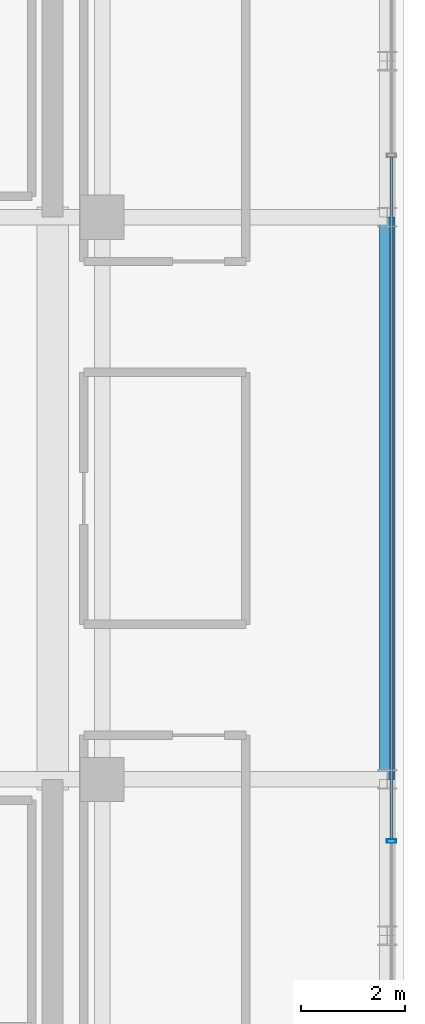
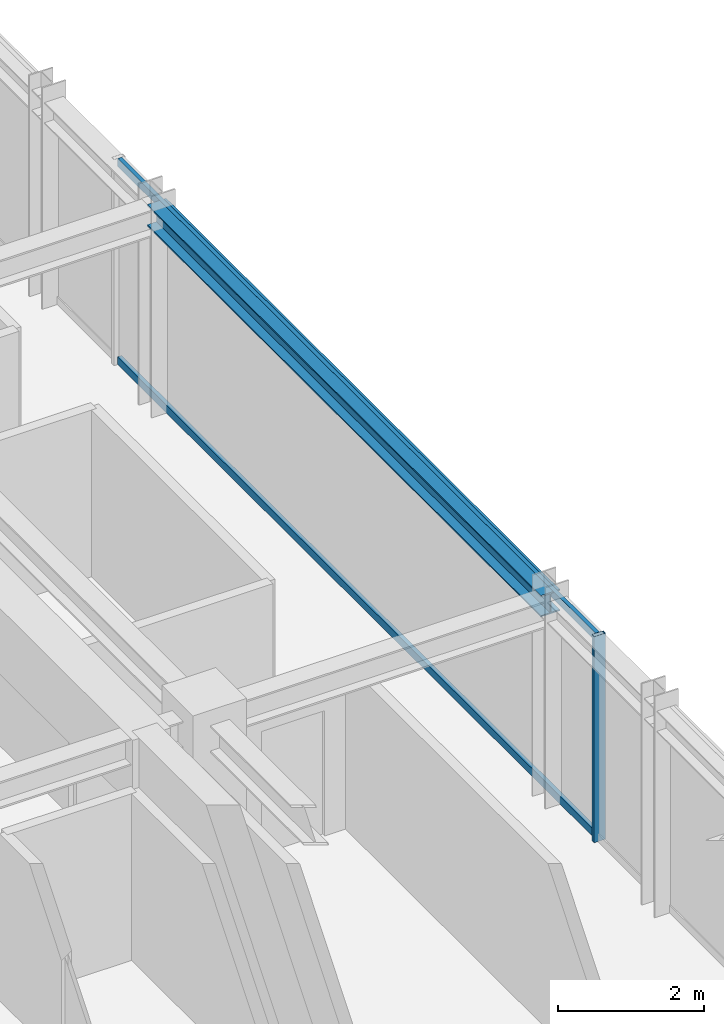
# One storey, part 16 of 31: 3 members, 1 beam, 1 element without a shape of its own.
"""IFC4 building model written with IfcOpenShell, lengths in metres."""

from ifc_helpers import new_model, si_unit, direction, frame, origin, origin_2d, place, context, subcontext, project, spatial, hollow_rectangle, i_section, extrude, source, transform, mapped, material, material_profile, profile_set, type_object, element, aggregate, save


model = new_model("IFC4")

# Units and contexts
model_context = context("Model", 3, precision=1e-05, world=origin(), true_north=direction((0.0, 1.0)))
body_context = subcontext(model_context, "Body", "Model", "MODEL_VIEW")
ifc_project = project(units=[si_unit("LENGTHUNIT", "METRE"), si_unit("AREAUNIT", "SQUARE_METRE"), si_unit("VOLUMEUNIT", "CUBIC_METRE"), si_unit("PLANEANGLEUNIT", "RADIAN"), si_unit("MASSUNIT", "GRAM", prefix="KILO")], contexts=[model_context])

# Site, building, storey
site_placement = place(None, origin())
site = spatial("IfcSite", under=ifc_project, at=site_placement, CompositionType="ELEMENT")
building_placement = place(site_placement, origin())
building = spatial("IfcBuilding", under=site, at=building_placement, Name="Nahalor Promenade Grand Hotel", CompositionType="ELEMENT")
storey_placement = place(building_placement, frame((0.0, 0.0, 277.550048828125)))
storey = spatial("IfcBuildingStorey", under=building, at=storey_placement, Name="L71", CompositionType="ELEMENT", Elevation=277.550048828125)

# Beam
ifc_material_1 = material(Name="Steel S355JR", Category="steel")
ifc_material_profile_1 = material_profile(ifc_material_1, i_section(OverallWidth=0.3, OverallDepth=0.36, WebThickness=0.0125, FlangeThickness=0.0225, at=origin_2d()), Name="HEB 360")
ifc_profile_set_1 = profile_set([ifc_material_profile_1], Name="Steel S355JR")
beam_type = type_object("IfcBeamType", Name="Beam-Spandrel-HEB360", PredefinedType="SPANDREL", material=ifc_profile_set_1)
shared_shape_1 = source(origin(), body_context, "Body", "SweptSolid", [
    extrude(i_section(OverallWidth=0.3, OverallDepth=0.36, WebThickness=0.0125, FlangeThickness=0.0225, at=origin_2d()), origin(), (0.0, 0.0, 1.0), 10.7998046875),
])
beam_placement = place(storey_placement, frame((22.47998046875, -5.39990234375, 3.27001953125), z_axis=(0.0, 1.0, 0.0), x_axis=(-1.0, 0.0, 0.0)))
element("IfcBeam", 1, at=beam_placement, inside=storey, type_object=beam_type, Name="BM-L71-SP-E-2", PredefinedType="SPANDREL", context=body_context, shape_type="MappedRepresentation", body=[
    mapped(shared_shape_1, transform((0.0, 0.0, 0.0), scale=1.0)),
])

# Curtain wall, members
ifc_material_2 = material(Name="Anodised Bronze Aluminium EN AW-6063 T6", Category="aluminium")
curtain_wall_type = type_object("IfcCurtainWallType", Name="CW2 Typical Hotel Flush Bronze Unitised Curtain Wall", PredefinedType="USERDEFINED", material=ifc_material_2)
curtain_wall_placement = place(storey_placement, origin())
curtain_wall = element("IfcCurtainWall", 2, at=curtain_wall_placement, inside=storey, type_object=curtain_wall_type, Name="L71 Curtain Wall CW-L71-E-1", ObjectType="UNITISED_CURTAIN_WALL", PredefinedType="USERDEFINED")
ifc_material_profile_2 = material_profile(ifc_material_2, hollow_rectangle(XDim=0.065, YDim=0.13, WallThickness=0.004, at=origin_2d()), Name="CWT 65x130x4")
ifc_profile_set_2 = profile_set([ifc_material_profile_2], Name="Anodised Bronze Aluminium EN AW-6063 T6")
member_type_1 = type_object("IfcMemberType", Name="CWT2 Typical Bronze Transom 65x130", PredefinedType="USERDEFINED", material=ifc_profile_set_2)
shared_shape_2 = source(origin(), body_context, "Body", "SweptSolid", [
    extrude(hollow_rectangle(XDim=0.065, YDim=0.13, WallThickness=0.004, at=origin_2d()), origin(), (0.0, 0.0, 1.0), 13.1083984375),
])
member_1_placement = place(storey_placement, frame((22.56005859375, -6.55419921875, 0.06494140625), z_axis=(0.0, 1.0, 0.0), x_axis=(-1.0, 0.0, 0.0)))
member_1 = element("IfcMember", 3, at=member_1_placement, type_object=member_type_1, Name="CW-L71-E-1 Transom 1-0", ObjectType="TRANSOM", PredefinedType="USERDEFINED", context=body_context, shape_type="MappedRepresentation", body=[
    mapped(shared_shape_2, transform((0.0, 0.0, 0.0), scale=1.0)),
])
member_2_placement = place(storey_placement, frame((22.56005859375, -6.55419921875, 3.385009765625), z_axis=(0.0, 1.0, 0.0), x_axis=(-1.0, 0.0, 0.0)))
member_2 = element("IfcMember", 4, at=member_2_placement, type_object=member_type_1, Name="CW-L71-E-1 Transom 1-1", ObjectType="TRANSOM", PredefinedType="USERDEFINED", context=body_context, shape_type="MappedRepresentation", body=[
    mapped(shared_shape_2, transform((0.0, 0.0, 0.0), scale=1.0)),
])
ifc_material_profile_3 = material_profile(ifc_material_2, hollow_rectangle(XDim=0.065, YDim=0.18, WallThickness=0.004, at=origin_2d()), Name="CWM 65x180x4")
ifc_profile_set_3 = profile_set([ifc_material_profile_3], Name="Anodised Bronze Aluminium EN AW-6063 T6")
member_type_2 = type_object("IfcMemberType", Name="CWM2 Typical Bronze Mullion 65x180", PredefinedType="MULLION", material=ifc_profile_set_3)
shared_shape_3 = source(origin(), body_context, "Body", "SweptSolid", [
    extrude(hollow_rectangle(XDim=0.065, YDim=0.18, WallThickness=0.004, at=origin_2d()), origin(), (0.0, 0.0, 1.0), 3.449951171875),
])
member_3_placement = place(storey_placement, frame((22.56005859375, -6.586669921875, 0.0), z_axis=(0.0, 0.0, 1.0), x_axis=(0.0, 1.0, 0.0)))
member_3 = element("IfcMember", 5, at=member_3_placement, type_object=member_type_2, Name="CW-L71-E-1 Mullion 1", PredefinedType="MULLION", context=body_context, shape_type="MappedRepresentation", body=[
    mapped(shared_shape_3, transform((0.0, 0.0, 0.0), scale=1.0)),
])
aggregate(curtain_wall, [member_3, member_1, member_2])

save(model, "model.ifc")
